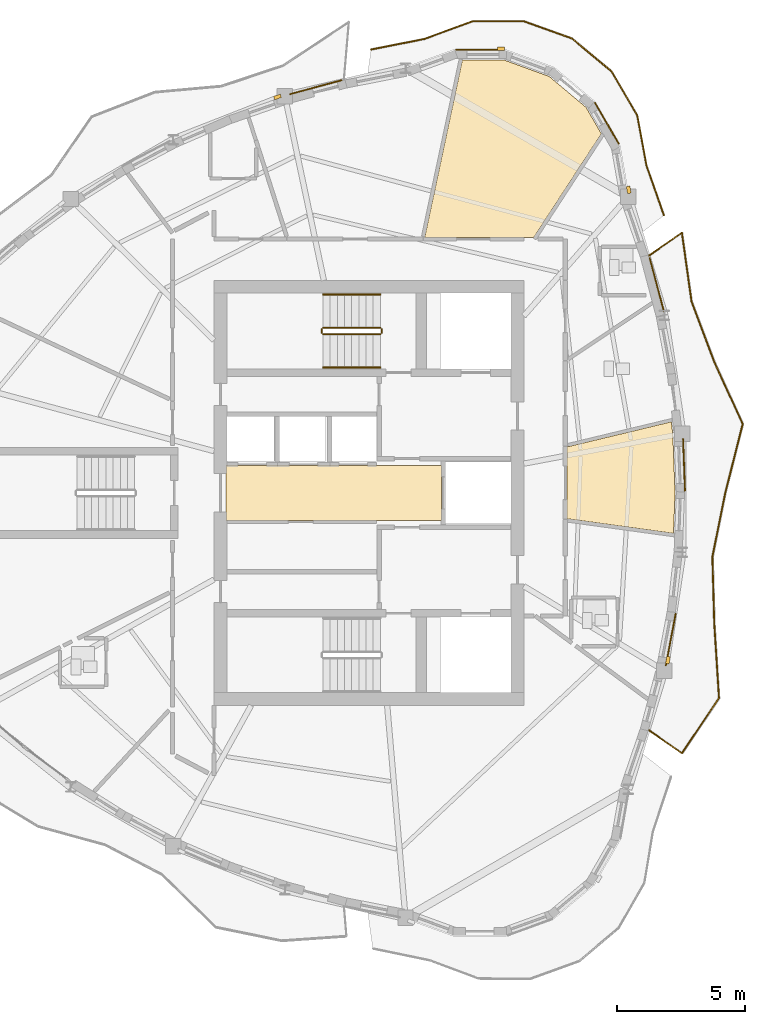
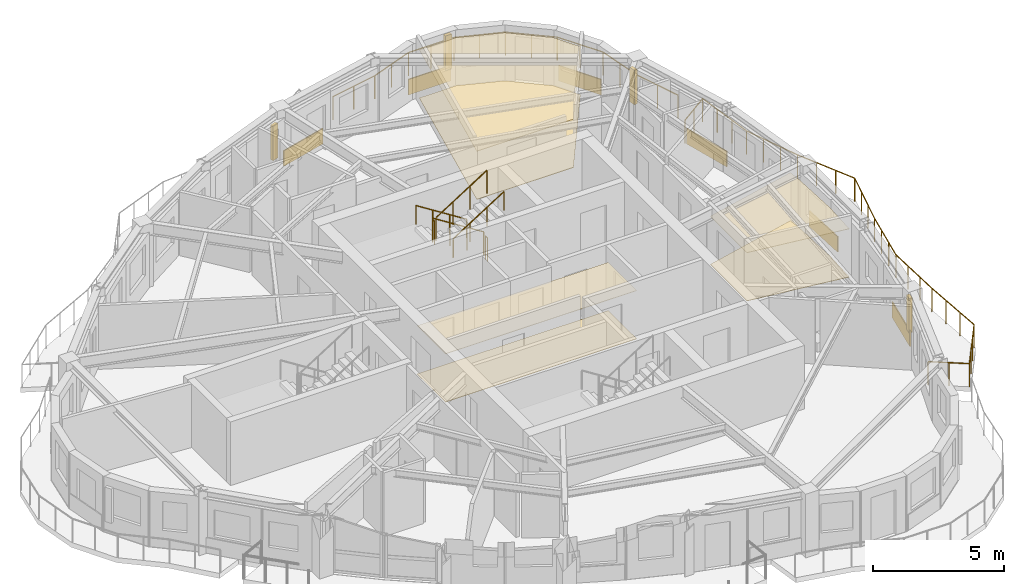
# One storey, part 12 of 13: 12 coverings, 8 railings, 4 shading devices.
"""IFC4 building model written with IfcOpenShell, lengths in metres."""

from ifc_helpers import new_model, si_unit, direction, frame, origin, origin_2d, place, context, subcontext, project, spatial, polyline, rectangle, circle, outline, extrude, source, transform, mapped, material, layer, layer_set, type_object, element, save


model = new_model("IFC4")

# Units and contexts
model_context = context("Model", 3, precision=1e-05, world=origin(), true_north=direction((0.0, 1.0)))
body_context = subcontext(model_context, "Body", "Model", "MODEL_VIEW")
ifc_project = project(units=[si_unit("LENGTHUNIT", "METRE"), si_unit("AREAUNIT", "SQUARE_METRE"), si_unit("VOLUMEUNIT", "CUBIC_METRE"), si_unit("PLANEANGLEUNIT", "RADIAN"), si_unit("MASSUNIT", "GRAM", prefix="KILO")], contexts=[model_context])

# Site, building, storey
site_placement = place(None, origin())
site = spatial("IfcSite", under=ifc_project, at=site_placement, CompositionType="ELEMENT")
building_placement = place(site_placement, origin())
building = spatial("IfcBuilding", under=site, at=building_placement, Name="Qafzar Sky-Pleat Residences", CompositionType="ELEMENT")
storey_placement = place(building_placement, frame((0.0, 0.0, 195.60009765625)))
storey = spatial("IfcBuildingStorey", under=building, at=storey_placement, Name="L58", CompositionType="ELEMENT", Elevation=195.60009765625)

# Coverings
ifc_material_1 = material(Name="Perforated acoustic gypsum board ceiling")
ifc_layer_1 = layer(ifc_material_1, 0.02001953125)
ifc_layer_set_1 = layer_set([ifc_layer_1], Name="Perforated acoustic gypsum board ceiling")
covering_type_1 = type_object("IfcCoveringType", Name="COV-CEIL-ACOUSTIC", PredefinedType="CEILING", material=ifc_layer_set_1)
covering_1_placement = place(storey_placement, frame((0.0, 0.0, 2.239990234375)))
element("IfcCovering", 1, at=covering_1_placement, inside=storey, type_object=covering_type_1, Name="L58 Passenger Lift Lobby Acoustic Ceiling", PredefinedType="CEILING", context=body_context, shape_type="SweptSolid", body=[
    extrude(outline(polyline([(33.179931640625, 24.919921875), (24.77001953125, 24.919921875), (24.77001953125, 27.080078125), (33.179931640625, 27.080078125), (33.179931640625, 24.919921875)])), origin(), (0.0, 0.0, 1.0), 0.02001953125),
])
covering_2_placement = place(storey_placement, frame((0.0, 0.0, 2.239990234375)))
element("IfcCovering", 2, at=covering_2_placement, inside=storey, type_object=covering_type_1, Name="L58 Communal Kitchen Acoustic Ceiling", PredefinedType="CEILING", context=body_context, shape_type="SweptSolid", body=[
    extrude(outline(polyline([(42.22119140625, 28.285888671875), (42.30810546875, 26.0), (42.248046875, 24.42138671875), (38.080078125, 24.99560546875), (38.080078125, 27.7958984375), (42.165283203125, 28.777587890625), (42.22119140625, 28.285888671875)])), origin(), (0.0, 0.0, 1.0), 0.02001953125),
])
covering_3_placement = place(storey_placement, frame((0.0, 0.0, 2.239990234375)))
element("IfcCovering", 3, at=covering_3_placement, inside=storey, type_object=covering_type_1, Name="L58 Co-Living Lounge Acoustic Ceiling", PredefinedType="CEILING", context=body_context, shape_type="SweptSolid", body=[
    extrude(outline(polyline([(35.6220703125, 42.912109375), (37.39208984375, 42.267578125), (38.835205078125, 41.056884765625), (39.42822265625, 40.02978515625), (36.787109375, 35.97998046875), (32.530517578125, 35.97998046875), (34.00244140625, 42.912109375), (35.6220703125, 42.912109375)])), origin(), (0.0, 0.0, 1.0), 0.02001953125),
])
ifc_material_2 = material(Name="Honed porcelain and Riyadh stone tile flooring", Category="masonry")
ifc_layer_2 = layer(ifc_material_2, 0.02001953125)
ifc_layer_set_2 = layer_set([ifc_layer_2], Name="Honed porcelain and Riyadh stone tile flooring")
covering_type_2 = type_object("IfcCoveringType", Name="COV-FLR-PORCELAIN", PredefinedType="FLOORING", material=ifc_layer_set_2)
covering_4_placement = place(storey_placement, origin())
element("IfcCovering", 4, at=covering_4_placement, inside=storey, type_object=covering_type_2, Name="L58 Passenger Lift Lobby Honed Stone Flooring", PredefinedType="FLOORING", context=body_context, shape_type="SweptSolid", body=[
    extrude(outline(polyline([(33.179931640625, 24.919921875), (24.77001953125, 24.919921875), (24.77001953125, 27.080078125), (33.179931640625, 27.080078125), (33.179931640625, 24.919921875)])), origin(), (0.0, 0.0, 1.0), 0.02001953125),
])
covering_5_placement = place(storey_placement, origin())
element("IfcCovering", 5, at=covering_5_placement, inside=storey, type_object=covering_type_2, Name="L58 Communal Kitchen Honed Stone Flooring", PredefinedType="FLOORING", context=body_context, shape_type="SweptSolid", body=[
    extrude(outline(polyline([(42.22119140625, 28.285888671875), (42.30810546875, 26.0), (42.248046875, 24.42138671875), (38.080078125, 24.99560546875), (38.080078125, 27.7958984375), (42.165283203125, 28.777587890625), (42.22119140625, 28.285888671875)])), origin(), (0.0, 0.0, 1.0), 0.02001953125),
])
covering_6_placement = place(storey_placement, origin())
element("IfcCovering", 6, at=covering_6_placement, inside=storey, type_object=covering_type_2, Name="L58 Co-Living Lounge Honed Stone Flooring", PredefinedType="FLOORING", context=body_context, shape_type="SweptSolid", body=[
    extrude(outline(polyline([(35.6220703125, 42.912109375), (37.39208984375, 42.267578125), (38.835205078125, 41.056884765625), (39.42822265625, 40.02978515625), (36.787109375, 35.97998046875), (32.530517578125, 35.97998046875), (34.00244140625, 42.912109375), (35.6220703125, 42.912109375)])), origin(), (0.0, 0.0, 1.0), 0.02001953125),
])

# Shading devices
ifc_material_3 = material(Name="Honed Riyadh limestone solar fin", Category="masonry")
ifc_layer_3 = layer(ifc_material_3, 0.139892578125)
ifc_layer_set_3 = layer_set([ifc_layer_3], Name="Honed Riyadh limestone solar fin")
shading_device_type = type_object("IfcShadingDeviceType", Name="SHD-FIN-STONE", PredefinedType="SHUTTER", material=ifc_layer_set_3)
shared_shape_1 = source(origin(), body_context, "Body", "SweptSolid", [
    extrude(rectangle(XDim=0.139892578125, YDim=0.280029296875, at=origin_2d()), origin(), (0.0, 0.0, 1.0), 1.60009765625),
])
for number, where, z_axis, x_axis, name in (
    (7, (42.03125, 19.469970703125, 0.599853515625), (0.0, 0.0, 1.0), (0.982422816778, -0.186669250475, 0.0), "L58 Limestone Solar Fin 25"),
    (8, (40.498779296875, 37.838623046875, 0.599853515625), (0.0, 0.0, 1.0), (0.984806040716, 0.173657888303, 0.0), "L58 Limestone Solar Fin 33"),
    (9, (35.504638671875, 43.346923828125, 0.599853515625), (0.0, 0.0, 1.0), (0.0, 1.0, 0.0), "L58 Limestone Solar Fin 37"),
    (10, (26.78173828125, 41.46630859375, 0.599853515625), (0.0, 0.0, 1.0), (-0.329582522198, 0.944126771711, 0.0), "L58 Limestone Solar Fin 41"),
):
    element("IfcShadingDevice", number, at=place(storey_placement, frame(where, z_axis=z_axis, x_axis=x_axis)), inside=storey, type_object=shading_device_type, Name=name, PredefinedType="SHUTTER", context=body_context, shape_type="MappedRepresentation", body=[
        mapped(shared_shape_1, transform((0.0, 0.0, 0.0), x_axis=(1.0, 0.0, 0.0), y_axis=(0.0, 1.0, 0.0), z_axis=(0.0, 0.0, 1.0), scale=1.0)),
    ])

# Coverings
ifc_material_4 = material(Name="Honed Riyadh Tuwaiq limestone cladding", Category="masonry")
ifc_layer_4 = layer(ifc_material_4, 0.044921875)
ifc_layer_set_4 = layer_set([ifc_layer_4], Name="Honed Riyadh Tuwaiq limestone cladding")
covering_type_3 = type_object("IfcCoveringType", Name="COV-CLAD-STONE", PredefinedType="CLADDING", material=ifc_layer_set_4)
shared_shape_2 = source(origin(), body_context, "Body", "SweptSolid", [
    extrude(rectangle(XDim=1.88134765625, YDim=0.044921875, at=origin_2d()), origin(), (0.0, 0.0, 1.0), 0.719970703125),
])
for number, where, z_axis, x_axis, name in (
    (11, (39.645751953125, 40.43701171875, 0.02001953125), (0.0, 0.0, 1.0), (-0.499972303345, 0.866041393865, 0.0), "L58 Riyadh Limestone Spandrel Cladding 34"),
    (12, (34.679931640625, 43.303955078125, 0.02001953125), (0.0, 0.0, 1.0), (-1.0, 0.0, 0.0), "L58 Riyadh Limestone Spandrel Cladding 37"),
):
    element("IfcCovering", number, at=place(storey_placement, frame(where, z_axis=z_axis, x_axis=x_axis)), inside=storey, type_object=covering_type_3, Name=name, PredefinedType="CLADDING", context=body_context, shape_type="MappedRepresentation", body=[
        mapped(shared_shape_2, transform((0.0, 0.0, 0.0), x_axis=(1.0, 0.0, 0.0), y_axis=(0.0, 1.0, 0.0), z_axis=(0.0, 0.0, 1.0), scale=1.0)),
    ])

# Railings
ifc_material_5 = material(Name="Laminated glass and bronze steel balustrade", Category="steel")
railing_type_1 = type_object("IfcRailingType", Name="RAIL-BAL-1100", PredefinedType="BALUSTRADE", material=ifc_material_5)
shared_shape_3 = source(origin(), body_context, "Body", "SweptSolid", [
    extrude(circle(Radius=0.02392578125, at=origin_2d()), frame((0.0, 0.0, 1.076171875), z_axis=(0.820204604859, -0.572070280794, 0.0), x_axis=(0.572070280794, 0.820204604859, 0.0)), (0.0, 0.0, 1.0), 1.578125),
    extrude(circle(Radius=0.02392578125, at=origin_2d()), frame((1.29443359375, -0.90283203125, 1.076171875), z_axis=(0.557971916083, 0.829859832058, 0.0), x_axis=(-0.829859832058, 0.557971916083, 0.0)), (0.0, 0.0, 1.0), 2.596923828125),
    extrude(circle(Radius=0.02392578125, at=origin_2d()), frame((2.743408203125, 1.252197265625, 1.076171875), z_axis=(-0.063814327299, 0.997961788663, 0.0), x_axis=(-0.997961788663, -0.063814327299, 0.0)), (0.0, 0.0, 1.0), 2.89990234375),
    extrude(circle(Radius=0.02392578125, at=origin_2d()), frame((2.558349609375, 4.146240234375, 1.076171875), z_axis=(-0.02826417954, 0.999600488273, 0.0), x_axis=(-0.999600488273, -0.02826417954, 0.0)), (0.0, 0.0, 1.0), 2.6171875),
    extrude(circle(Radius=0.02392578125, at=origin_2d()), frame((2.484375, 6.762451171875, 1.076171875), z_axis=(0.197091666484, 0.980385064657, 0.0), x_axis=(-0.980385064657, 0.197091666484, 0.0)), (0.0, 0.0, 1.0), 2.550537109375),
    extrude(circle(Radius=0.02392578125, at=origin_2d()), frame((2.987060546875, 9.262939453125, 1.076171875), z_axis=(0.246096098099, 0.969245433572, 0.0), x_axis=(-0.969245433572, 0.246096098099, 0.0)), (0.0, 0.0, 1.0), 2.773681640625),
    extrude(circle(Radius=0.02392578125, at=origin_2d()), frame((3.669677734375, 11.951416015625, 1.076171875), z_axis=(-0.416157265311, 0.909292653951, 0.0), x_axis=(-0.909292653951, -0.416157265311, 0.0)), (0.0, 0.0, 1.0), 2.67041015625),
    extrude(circle(Radius=0.02392578125, at=origin_2d()), frame((2.558349609375, 14.379638671875, 1.076171875), z_axis=(-0.352567417277, 0.935786415949, 0.0), x_axis=(-0.935786415949, -0.352567417277, 0.0)), (0.0, 0.0, 1.0), 2.519287109375),
    extrude(circle(Radius=0.02392578125, at=origin_2d()), frame((1.670166015625, 16.737060546875, 1.076171875), z_axis=(-0.138251360548, 0.990397173515, 0.0), x_axis=(-0.990397173515, -0.138251360548, 0.0)), (0.0, 0.0, 1.0), 2.7177734375),
    extrude(circle(Radius=0.02392578125, at=origin_2d()), frame((1.29443359375, 19.4287109375, 1.076171875), z_axis=(-0.820204604859, -0.572070280794, 0.0), x_axis=(0.572070280794, -0.820204604859, 0.0)), (0.0, 0.0, 1.0), 1.578125),
    extrude(circle(Radius=0.02099609375, at=origin_2d()), origin(), (0.0, 0.0, 1.0), 1.052001953125),
    extrude(circle(Radius=0.02099609375, at=origin_2d()), frame((0.647216796875, -0.451416015625, 0.0)), (0.0, 0.0, 1.0), 1.052001953125),
    extrude(circle(Radius=0.02099609375, at=origin_2d()), frame((1.29443359375, -0.90283203125, 0.0)), (0.0, 0.0, 1.0), 1.052001953125),
    extrude(circle(Radius=0.02099609375, at=origin_2d()), frame((1.77734375, -0.1845703125, 0.0)), (0.0, 0.0, 1.0), 1.052001953125),
    extrude(circle(Radius=0.02099609375, at=origin_2d()), frame((2.260498046875, 0.533935546875, 0.0)), (0.0, 0.0, 1.0), 1.052001953125),
    extrude(circle(Radius=0.02099609375, at=origin_2d()), frame((2.743408203125, 1.252197265625, 0.0)), (0.0, 0.0, 1.0), 1.052001953125),
    extrude(circle(Radius=0.02099609375, at=origin_2d()), frame((2.681640625, 2.216796875, 0.0)), (0.0, 0.0, 1.0), 1.052001953125),
    extrude(circle(Radius=0.02099609375, at=origin_2d()), frame((2.6201171875, 3.181640625, 0.0)), (0.0, 0.0, 1.0), 1.052001953125),
    extrude(circle(Radius=0.02099609375, at=origin_2d()), frame((2.558349609375, 4.146240234375, 0.0)), (0.0, 0.0, 1.0), 1.052001953125),
    extrude(circle(Radius=0.02099609375, at=origin_2d()), frame((2.53369140625, 5.018310546875, 0.0)), (0.0, 0.0, 1.0), 1.052001953125),
    extrude(circle(Radius=0.02099609375, at=origin_2d()), frame((2.509033203125, 5.890380859375, 0.0)), (0.0, 0.0, 1.0), 1.052001953125),
    extrude(circle(Radius=0.02099609375, at=origin_2d()), frame((2.484375, 6.762451171875, 0.0)), (0.0, 0.0, 1.0), 1.052001953125),
    extrude(circle(Radius=0.02099609375, at=origin_2d()), frame((2.65185546875, 7.595947265625, 0.0)), (0.0, 0.0, 1.0), 1.052001953125),
    extrude(circle(Radius=0.02099609375, at=origin_2d()), frame((2.819580078125, 8.429443359375, 0.0)), (0.0, 0.0, 1.0), 1.052001953125),
    extrude(circle(Radius=0.02099609375, at=origin_2d()), frame((2.987060546875, 9.262939453125, 0.0)), (0.0, 0.0, 1.0), 1.052001953125),
    extrude(circle(Radius=0.02099609375, at=origin_2d()), frame((3.214599609375, 10.1591796875, 0.0)), (0.0, 0.0, 1.0), 1.052001953125),
    extrude(circle(Radius=0.02099609375, at=origin_2d()), frame((3.442138671875, 11.05517578125, 0.0)), (0.0, 0.0, 1.0), 1.052001953125),
    extrude(circle(Radius=0.02099609375, at=origin_2d()), frame((3.669677734375, 11.951416015625, 0.0)), (0.0, 0.0, 1.0), 1.052001953125),
    extrude(circle(Radius=0.02099609375, at=origin_2d()), frame((3.29931640625, 12.7607421875, 0.0)), (0.0, 0.0, 1.0), 1.052001953125),
    extrude(circle(Radius=0.02099609375, at=origin_2d()), frame((2.9287109375, 13.5703125, 0.0)), (0.0, 0.0, 1.0), 1.052001953125),
    extrude(circle(Radius=0.02099609375, at=origin_2d()), frame((2.558349609375, 14.379638671875, 0.0)), (0.0, 0.0, 1.0), 1.052001953125),
    extrude(circle(Radius=0.02099609375, at=origin_2d()), frame((2.26220703125, 15.16552734375, 0.0)), (0.0, 0.0, 1.0), 1.052001953125),
    extrude(circle(Radius=0.02099609375, at=origin_2d()), frame((1.96630859375, 15.951171875, 0.0)), (0.0, 0.0, 1.0), 1.052001953125),
    extrude(circle(Radius=0.02099609375, at=origin_2d()), frame((1.670166015625, 16.737060546875, 0.0)), (0.0, 0.0, 1.0), 1.052001953125),
    extrude(circle(Radius=0.02099609375, at=origin_2d()), frame((1.544921875, 17.63427734375, 0.0)), (0.0, 0.0, 1.0), 1.052001953125),
    extrude(circle(Radius=0.02099609375, at=origin_2d()), frame((1.419677734375, 18.531494140625, 0.0)), (0.0, 0.0, 1.0), 1.052001953125),
    extrude(circle(Radius=0.02099609375, at=origin_2d()), frame((1.29443359375, 19.4287109375, 0.0)), (0.0, 0.0, 1.0), 1.052001953125),
    extrude(circle(Radius=0.02099609375, at=origin_2d()), frame((0.647216796875, 18.977294921875, 0.0)), (0.0, 0.0, 1.0), 1.052001953125),
    extrude(circle(Radius=0.02099609375, at=origin_2d()), frame((0.0, 18.52587890625, 0.0)), (0.0, 0.0, 1.0), 1.052001953125),
])
railing_1_placement = place(storey_placement, frame((41.28125, 16.737060546875, 0.0)))
element("IfcRailing", 13, at=railing_1_placement, inside=storey, type_object=railing_type_1, Name="L58 Pleated Balcony 1 Balustrade", PredefinedType="BALUSTRADE", context=body_context, shape_type="MappedRepresentation", body=[
    mapped(shared_shape_3, transform((0.0, 0.0, 0.0), x_axis=(1.0, 0.0, 0.0), y_axis=(0.0, 1.0, 0.0), z_axis=(0.0, 0.0, 1.0), scale=1.0)),
])
shared_shape_4 = source(origin(), body_context, "Body", "SweptSolid", [
    extrude(circle(Radius=0.02392578125, at=origin_2d()), frame((0.0, 0.0, 1.076171875), z_axis=(0.981029166343, 0.193860193912, 0.0), x_axis=(-0.193860193912, 0.981029166343, 0.0)), (0.0, 0.0, 1.0), 2.123291015625),
    extrude(circle(Radius=0.02392578125, at=origin_2d()), frame((2.0830078125, 0.41162109375, 1.076171875), z_axis=(0.938978777937, 0.343975078434, 0.0), x_axis=(-0.343975078434, 0.938978777937, 0.0)), (0.0, 0.0, 1.0), 2.00146484375),
    extrude(circle(Radius=0.02392578125, at=origin_2d()), frame((3.96240234375, 1.10009765625, 1.076171875), z_axis=(0.999994572547, 0.003294674004, 0.0), x_axis=(-0.003294674004, 0.999994572547, 0.0)), (0.0, 0.0, 1.0), 2.000732421875),
    extrude(circle(Radius=0.02392578125, at=origin_2d()), frame((5.963134765625, 1.106689453125, 1.076171875), z_axis=(0.941196661224, -0.337859208698, 0.0), x_axis=(0.337859208698, 0.941196661224, 0.0)), (0.0, 0.0, 1.0), 2.000244140625),
    extrude(circle(Radius=0.02392578125, at=origin_2d()), frame((7.845703125, 0.430908203125, 1.076171875), z_axis=(0.769490229507, -0.638658583824, 0.0), x_axis=(0.638658583824, 0.769490229507, 0.0)), (0.0, 0.0, 1.0), 2.00048828125),
    extrude(circle(Radius=0.02392578125, at=origin_2d()), frame((9.385009765625, -0.8466796875, 1.076171875), z_axis=(0.505584824715, -0.862776903387, 0.0), x_axis=(0.862776903387, 0.505584824715, 0.0)), (0.0, 0.0, 1.0), 2.00048828125),
    extrude(circle(Radius=0.02392578125, at=origin_2d()), frame((10.396484375, -2.57275390625, 1.076171875), z_axis=(0.181128280502, -0.983459478577, 0.0), x_axis=(0.983459478577, 0.181128280502, 0.0)), (0.0, 0.0, 1.0), 2.001708984375),
    extrude(circle(Radius=0.02392578125, at=origin_2d()), frame((10.759033203125, -4.541259765625, 1.076171875), z_axis=(0.331943421708, -0.943299297564, 0.0), x_axis=(0.943299297564, 0.331943421708, 0.0)), (0.0, 0.0, 1.0), 2.05419921875),
    extrude(circle(Radius=0.02099609375, at=origin_2d()), origin(), (0.0, 0.0, 1.0), 1.052001953125),
    extrude(circle(Radius=0.02099609375, at=origin_2d()), frame((1.04150390625, 0.205810546875, 0.0)), (0.0, 0.0, 1.0), 1.052001953125),
    extrude(circle(Radius=0.02099609375, at=origin_2d()), frame((2.0830078125, 0.41162109375, 0.0)), (0.0, 0.0, 1.0), 1.052001953125),
    extrude(circle(Radius=0.02099609375, at=origin_2d()), frame((3.022705078125, 0.755859375, 0.0)), (0.0, 0.0, 1.0), 1.052001953125),
    extrude(circle(Radius=0.02099609375, at=origin_2d()), frame((3.96240234375, 1.10009765625, 0.0)), (0.0, 0.0, 1.0), 1.052001953125),
    extrude(circle(Radius=0.02099609375, at=origin_2d()), frame((4.962890625, 1.103515625, 0.0)), (0.0, 0.0, 1.0), 1.052001953125),
    extrude(circle(Radius=0.02099609375, at=origin_2d()), frame((5.963134765625, 1.106689453125, 0.0)), (0.0, 0.0, 1.0), 1.052001953125),
    extrude(circle(Radius=0.02099609375, at=origin_2d()), frame((6.904296875, 0.768798828125, 0.0)), (0.0, 0.0, 1.0), 1.052001953125),
    extrude(circle(Radius=0.02099609375, at=origin_2d()), frame((7.845703125, 0.430908203125, 0.0)), (0.0, 0.0, 1.0), 1.052001953125),
    extrude(circle(Radius=0.02099609375, at=origin_2d()), frame((8.615234375, -0.2080078125, 0.0)), (0.0, 0.0, 1.0), 1.052001953125),
    extrude(circle(Radius=0.02099609375, at=origin_2d()), frame((9.385009765625, -0.8466796875, 0.0)), (0.0, 0.0, 1.0), 1.052001953125),
    extrude(circle(Radius=0.02099609375, at=origin_2d()), frame((9.890625, -1.709716796875, 0.0)), (0.0, 0.0, 1.0), 1.052001953125),
    extrude(circle(Radius=0.02099609375, at=origin_2d()), frame((10.396484375, -2.57275390625, 0.0)), (0.0, 0.0, 1.0), 1.052001953125),
    extrude(circle(Radius=0.02099609375, at=origin_2d()), frame((10.57763671875, -3.55712890625, 0.0)), (0.0, 0.0, 1.0), 1.052001953125),
    extrude(circle(Radius=0.02099609375, at=origin_2d()), frame((10.759033203125, -4.541259765625, 0.0)), (0.0, 0.0, 1.0), 1.052001953125),
    extrude(circle(Radius=0.02099609375, at=origin_2d()), frame((11.10009765625, -5.51025390625, 0.0)), (0.0, 0.0, 1.0), 1.052001953125),
    extrude(circle(Radius=0.02099609375, at=origin_2d()), frame((11.44091796875, -6.47900390625, 0.0)), (0.0, 0.0, 1.0), 1.052001953125),
])
railing_2_placement = place(storey_placement, frame((30.43408203125, 43.319091796875, 0.0)))
element("IfcRailing", 14, at=railing_2_placement, inside=storey, type_object=railing_type_1, Name="L58 Corner Terrace 2 Balustrade", PredefinedType="BALUSTRADE", context=body_context, shape_type="MappedRepresentation", body=[
    mapped(shared_shape_4, transform((0.0, 0.0, 0.0), x_axis=(1.0, 0.0, 0.0), y_axis=(0.0, 1.0, 0.0), z_axis=(0.0, 0.0, 1.0), scale=1.0)),
])

# Coverings
shared_shape_5 = source(origin(), body_context, "Body", "SweptSolid", [
    extrude(rectangle(XDim=2.0732421875, YDim=0.044921875, at=origin_2d()), origin(), (0.0, 0.0, 1.0), 0.719970703125),
])
covering_7_placement = place(storey_placement, frame((42.140380859375, 20.273681640625, 0.02001953125), z_axis=(0.0, 0.0, 1.0), x_axis=(0.186673215742, 0.982422063334, 0.0)))
element("IfcCovering", 15, at=covering_7_placement, inside=storey, type_object=covering_type_3, Name="L58 Riyadh Limestone Spandrel Cladding 25", PredefinedType="CLADDING", context=body_context, shape_type="MappedRepresentation", body=[
    mapped(shared_shape_5, transform((0.0, 0.0, 0.0), x_axis=(1.0, 0.0, 0.0), y_axis=(0.0, 1.0, 0.0), z_axis=(0.0, 0.0, 1.0), scale=1.0)),
])
shared_shape_6 = source(origin(), body_context, "Body", "SweptSolid", [
    extrude(rectangle(XDim=2.037353515625, YDim=0.044921875, at=origin_2d()), origin(), (0.0, 0.0, 1.0), 0.719970703125),
])
covering_8_placement = place(storey_placement, frame((42.65869140625, 27.093994140625, 0.02001953125), z_axis=(0.0, 0.0, 1.0), x_axis=(-0.037992003404, 0.999278043228, 0.0)))
element("IfcCovering", 16, at=covering_8_placement, inside=storey, type_object=covering_type_3, Name="L58 Riyadh Limestone Spandrel Cladding 28", PredefinedType="CLADDING", context=body_context, shape_type="MappedRepresentation", body=[
    mapped(shared_shape_6, transform((0.0, 0.0, 0.0), x_axis=(1.0, 0.0, 0.0), y_axis=(0.0, 1.0, 0.0), z_axis=(0.0, 0.0, 1.0), scale=1.0)),
])
shared_shape_7 = source(origin(), body_context, "Body", "SweptSolid", [
    extrude(rectangle(XDim=2.171142578125, YDim=0.044921875, at=origin_2d()), origin(), (0.0, 0.0, 1.0), 0.719970703125),
])
covering_9_placement = place(storey_placement, frame((41.593017578125, 34.1328125, 0.02001953125), z_axis=(0.0, 0.0, 1.0), x_axis=(-0.257040824531, 0.966400545594, 0.0)))
element("IfcCovering", 17, at=covering_9_placement, inside=storey, type_object=covering_type_3, Name="L58 Riyadh Limestone Spandrel Cladding 31", PredefinedType="CLADDING", context=body_context, shape_type="MappedRepresentation", body=[
    mapped(shared_shape_7, transform((0.0, 0.0, 0.0), x_axis=(1.0, 0.0, 0.0), y_axis=(0.0, 1.0, 0.0), z_axis=(0.0, 0.0, 1.0), scale=1.0)),
])
shared_shape_8 = source(origin(), body_context, "Body", "SweptSolid", [
    extrude(rectangle(XDim=2.1083984375, YDim=0.044921875, at=origin_2d()), origin(), (0.0, 0.0, 1.0), 0.719970703125),
])
covering_10_placement = place(storey_placement, frame((28.280517578125, 41.847412109375, 0.02001953125), z_axis=(0.0, 0.0, 1.0), x_axis=(-0.965464740247, -0.260533750867, 0.0)))
element("IfcCovering", 18, at=covering_10_placement, inside=storey, type_object=covering_type_3, Name="L58 Riyadh Limestone Spandrel Cladding 40", PredefinedType="CLADDING", context=body_context, shape_type="MappedRepresentation", body=[
    mapped(shared_shape_8, transform((0.0, 0.0, 0.0), x_axis=(1.0, 0.0, 0.0), y_axis=(0.0, 1.0, 0.0), z_axis=(0.0, 0.0, 1.0), scale=1.0)),
])

# Railings
ifc_material_6 = material(Name="Painted Steel S355 stair guardrail", Category="steel")
railing_type_2 = type_object("IfcRailingType", Name="RAIL-STAIR-GUARD", PredefinedType="GUARDRAIL", material=ifc_material_6)
shared_shape_9 = source(origin(), body_context, "Body", "SweptSolid", [
    extrude(circle(Radius=0.02392578125, at=origin_2d()), frame((0.0, 0.0, 1.076171875), z_axis=(0.0, -1.0, 0.0), x_axis=(1.0, 0.0, 0.0)), (0.0, 0.0, 1.0), 0.14990234375),
    extrude(circle(Radius=0.02099609375, at=origin_2d()), origin(), (0.0, 0.0, 1.0), 1.052001953125),
    extrude(circle(Radius=0.02099609375, at=origin_2d()), frame((0.0, -0.14990234375, 0.0)), (0.0, 0.0, 1.0), 1.052001953125),
])
for number, where, name in (
    (19, (28.510009765625, 32.39990234375, 1.599853515625), "L58 ST2 stair guard 2"),
    (20, (30.85009765625, 32.39990234375, 0.0), "L58 ST2 stair guard 4"),
):
    element("IfcRailing", number, at=place(storey_placement, frame(where)), inside=storey, type_object=railing_type_2, Name=name, PredefinedType="GUARDRAIL", context=body_context, shape_type="MappedRepresentation", body=[
        mapped(shared_shape_9, transform((0.0, 0.0, 0.0), x_axis=(1.0, 0.0, 0.0), y_axis=(0.0, 1.0, 0.0), z_axis=(0.0, 0.0, 1.0), scale=1.0)),
    ])
shared_shape_10 = source(origin(), body_context, "Body", "SweptSolid", [
    extrude(circle(Radius=0.02392578125, at=origin_2d()), frame((0.0, 0.0, 1.076171875), z_axis=(-0.8442293374, 0.0, 0.53598211339), x_axis=(0.0, -1.0, 0.0)), (0.0, 0.0, 1.0), 2.6533203125),
    extrude(circle(Radius=0.02099609375, at=origin_2d()), origin(), (0.0, 0.0, 1.0), 1.052001953125),
    extrude(circle(Radius=0.02099609375, at=origin_2d()), frame((-0.74658203125, 0.0, 0.47412109375)), (0.0, 0.0, 1.0), 1.052001953125),
    extrude(circle(Radius=0.02099609375, at=origin_2d()), frame((-1.493408203125, 0.0, 0.947998046875)), (0.0, 0.0, 1.0), 1.052001953125),
    extrude(circle(Radius=0.02099609375, at=origin_2d()), frame((-2.239990234375, 0.0, 1.422119140625)), (0.0, 0.0, 1.0), 1.052001953125),
])
railing_3_placement = place(storey_placement, frame((30.800048828125, 32.449951171875, 0.177734375)))
element("IfcRailing", 21, at=railing_3_placement, inside=storey, type_object=railing_type_2, Name="L58 ST2 stair guard 1", PredefinedType="GUARDRAIL", context=body_context, shape_type="MappedRepresentation", body=[
    mapped(shared_shape_10, transform((0.0, 0.0, 0.0), x_axis=(1.0, 0.0, 0.0), y_axis=(0.0, 1.0, 0.0), z_axis=(0.0, 0.0, 1.0), scale=1.0)),
])
ifc_material_7 = material(Name="Brushed stainless steel handrail", Category="steel")
railing_type_3 = type_object("IfcRailingType", Name="RAIL-STAIR-HAND", PredefinedType="HANDRAIL", material=ifc_material_7)
shared_shape_11 = source(origin(), body_context, "Body", "SweptSolid", [
    extrude(circle(Radius=0.02392578125, at=origin_2d()), frame((0.0, 0.0, 0.8759765625), z_axis=(-0.8442293374, 0.0, 0.53598211339), x_axis=(0.0, -1.0, 0.0)), (0.0, 0.0, 1.0), 2.6533203125),
    extrude(circle(Radius=0.02099609375, at=origin_2d()), origin(), (0.0, 0.0, 1.0), 0.851806640625),
    extrude(circle(Radius=0.02099609375, at=origin_2d()), frame((-0.74658203125, 0.0, 0.47412109375)), (0.0, 0.0, 1.0), 0.851806640625),
    extrude(circle(Radius=0.02099609375, at=origin_2d()), frame((-1.493408203125, 0.0, 0.947998046875)), (0.0, 0.0, 1.0), 0.851806640625),
    extrude(circle(Radius=0.02099609375, at=origin_2d()), frame((-2.239990234375, 0.0, 1.422119140625)), (0.0, 0.0, 1.0), 0.851806640625),
])
railing_4_placement = place(storey_placement, frame((30.800048828125, 33.75, 0.177734375)))
element("IfcRailing", 22, at=railing_4_placement, inside=storey, type_object=railing_type_3, Name="L58 ST2 stair handrail 1", PredefinedType="HANDRAIL", context=body_context, shape_type="MappedRepresentation", body=[
    mapped(shared_shape_11, transform((0.0, 0.0, 0.0), x_axis=(1.0, 0.0, 0.0), y_axis=(0.0, 1.0, 0.0), z_axis=(0.0, 0.0, 1.0), scale=1.0)),
])
shared_shape_12 = source(origin(), body_context, "Body", "SweptSolid", [
    extrude(circle(Radius=0.02392578125, at=origin_2d()), frame((0.0, 0.0, 1.076171875), z_axis=(0.84418770128, 0.0, 0.536047689118), x_axis=(0.0, 1.0, 0.0)), (0.0, 0.0, 1.0), 2.6533203125),
    extrude(circle(Radius=0.02099609375, at=origin_2d()), origin(), (0.0, 0.0, 1.0), 1.052001953125),
    extrude(circle(Radius=0.02099609375, at=origin_2d()), frame((0.74658203125, 0.0, 0.47412109375)), (0.0, 0.0, 1.0), 1.052001953125),
    extrude(circle(Radius=0.02099609375, at=origin_2d()), frame((1.493408203125, 0.0, 0.9482421875)), (0.0, 0.0, 1.0), 1.052001953125),
    extrude(circle(Radius=0.02099609375, at=origin_2d()), frame((2.239990234375, 0.0, 1.42236328125)), (0.0, 0.0, 1.0), 1.052001953125),
])
railing_5_placement = place(storey_placement, frame((28.56005859375, 32.199951171875, 1.777587890625)))
element("IfcRailing", 23, at=railing_5_placement, inside=storey, type_object=railing_type_2, Name="L58 ST2 stair guard 3", PredefinedType="GUARDRAIL", context=body_context, shape_type="MappedRepresentation", body=[
    mapped(shared_shape_12, transform((0.0, 0.0, 0.0), x_axis=(1.0, 0.0, 0.0), y_axis=(0.0, 1.0, 0.0), z_axis=(0.0, 0.0, 1.0), scale=1.0)),
])
shared_shape_13 = source(origin(), body_context, "Body", "SweptSolid", [
    extrude(circle(Radius=0.02392578125, at=origin_2d()), frame((0.0, 0.0, 0.8759765625), z_axis=(0.84418770128, 0.0, 0.536047689118), x_axis=(0.0, 1.0, 0.0)), (0.0, 0.0, 1.0), 2.6533203125),
    extrude(circle(Radius=0.02099609375, at=origin_2d()), origin(), (0.0, 0.0, 1.0), 0.851806640625),
    extrude(circle(Radius=0.02099609375, at=origin_2d()), frame((0.74658203125, 0.0, 0.47412109375)), (0.0, 0.0, 1.0), 0.851806640625),
    extrude(circle(Radius=0.02099609375, at=origin_2d()), frame((1.493408203125, 0.0, 0.9482421875)), (0.0, 0.0, 1.0), 0.851806640625),
    extrude(circle(Radius=0.02099609375, at=origin_2d()), frame((2.239990234375, 0.0, 1.42236328125)), (0.0, 0.0, 1.0), 0.851806640625),
])
railing_6_placement = place(storey_placement, frame((28.56005859375, 30.89990234375, 1.777587890625)))
element("IfcRailing", 24, at=railing_6_placement, inside=storey, type_object=railing_type_3, Name="L58 ST2 stair handrail 2", PredefinedType="HANDRAIL", context=body_context, shape_type="MappedRepresentation", body=[
    mapped(shared_shape_13, transform((0.0, 0.0, 0.0), x_axis=(1.0, 0.0, 0.0), y_axis=(0.0, 1.0, 0.0), z_axis=(0.0, 0.0, 1.0), scale=1.0)),
])

save(model, "model.ifc")
